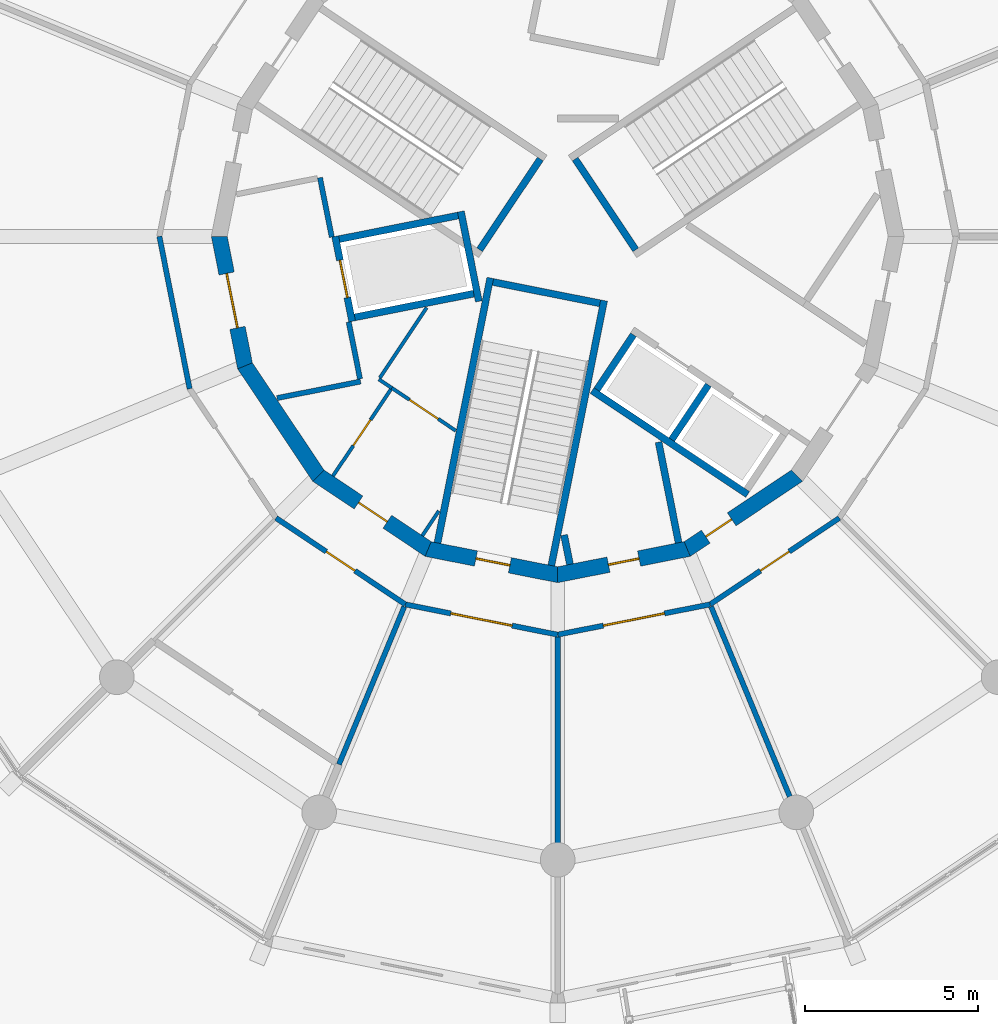
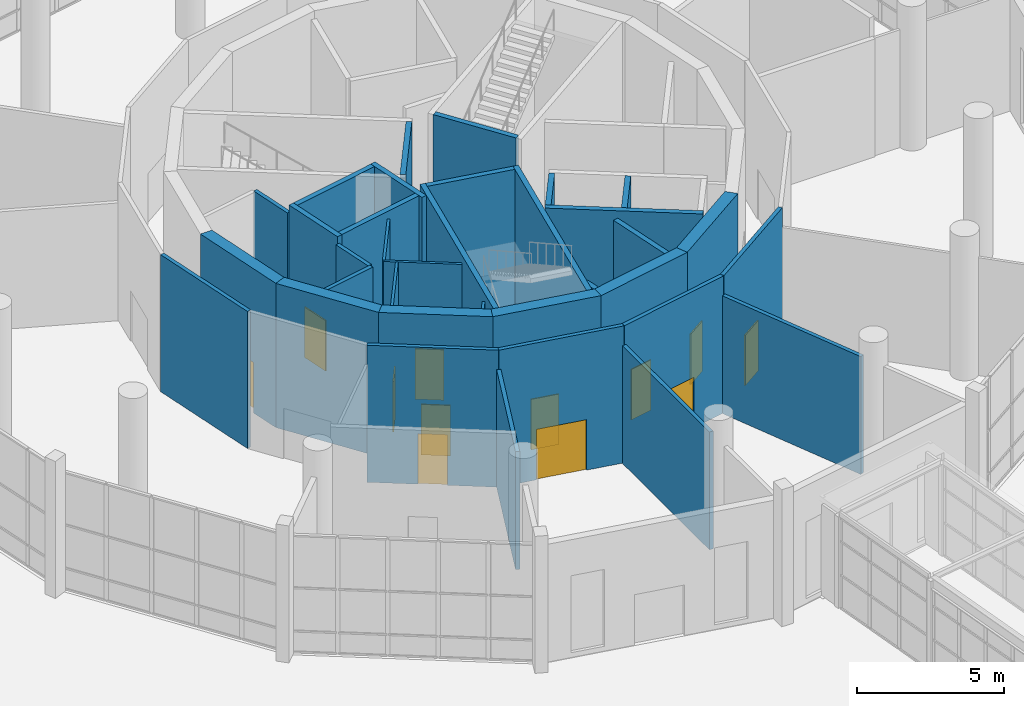
# One storey, part 163 of 226: 36 walls, 12 doors, 12 openings.
"""IFC4 building model written with IfcOpenShell, lengths in metres."""

import ifcopenshell
import ifcopenshell.guid

model = None  # the IFC model being written
_history = None  # IfcOwnerHistory: only IFC2X3 demands one
_inside = {}  # id of a spatial element -> (the spatial element, [elements in it])
_under = {}  # id of a project, library or spatial element -> (it, [spatial elements below it])
_declared = {}  # id of a project -> (the project, [libraries it declares])
_typed = {}  # id of a type object -> (the type object, [elements of that type])
_made_of = {}  # id of a material, layer set ... -> (it, [elements and type objects made of it])


def new_model(schema):
    """Start an empty IFC model of exactly this schema.

    Asked for "IFC4X3", IfcOpenShell would pick the latest addendum, in which some entities
    have other attributes; the version numbers below select the first issue.
    IFC2X3 requires an IfcOwnerHistory on every rooted entity: one is made here for all.
    """
    global model, _history
    if schema == "IFC4X3":
        model = ifcopenshell.file(schema_version=(4, 3, 0, 0))
    else:
        model = ifcopenshell.file(schema=schema)
    _inside.clear()
    _under.clear()
    _declared.clear()
    _typed.clear()
    _made_of.clear()
    _history = None
    if model.schema == "IFC2X3":
        org = make("IfcOrganization", Name="unknown")
        user = make(
            "IfcPersonAndOrganization",
            ThePerson=make("IfcPerson", FamilyName="unknown"),
            TheOrganization=org,
        )
        app = make(
            "IfcApplication",
            ApplicationDeveloper=org,
            Version="unknown",
            ApplicationFullName="unknown",
            ApplicationIdentifier="unknown",
        )
        _history = make(
            "IfcOwnerHistory",
            OwningUser=user,
            OwningApplication=app,
            ChangeAction="ADDED",
            CreationDate=0,
        )
    return model


def make(cls, **values):
    """One entity of the class cls with the attributes given. An attribute that is None is left unset."""
    return model.create_entity(
        cls, **{name: value for name, value in values.items() if value is not None}
    )


def rooted(cls, **values):
    """An entity with a GlobalId (a new one), such as an element, a storey or a relation."""
    return make(cls, GlobalId=ifcopenshell.guid.new(), OwnerHistory=_history, **values)


def si_unit(unit_type, name, prefix=None):
    """IfcSIUnit, for example si_unit("LENGTHUNIT", "METRE", prefix="MILLI")."""
    return make("IfcSIUnit", UnitType=unit_type, Prefix=prefix, Name=name)


def assignment(units):
    """IfcUnitAssignment: the units of a project."""
    return None if units is None else make("IfcUnitAssignment", Units=units)


def point(xyz):
    """IfcCartesianPoint."""
    return None if xyz is None else make("IfcCartesianPoint", Coordinates=xyz)


def direction(xyz):
    """IfcDirection."""
    return None if xyz is None else make("IfcDirection", DirectionRatios=xyz)


def frame(location, z_axis=None, x_axis=None):
    """IfcAxis2Placement3D, a coordinate frame: its origin and axes. An axis left out is left unset."""
    return make(
        "IfcAxis2Placement3D",
        Location=point(location),
        Axis=direction(z_axis),
        RefDirection=direction(x_axis),
    )


def frame_2d(location, x_axis=None):
    """IfcAxis2Placement2D, a coordinate frame in the plane: its origin and x axis."""
    return make(
        "IfcAxis2Placement2D", Location=point(location), RefDirection=direction(x_axis)
    )


def origin():
    """The frame at (0, 0, 0) with its axes left unset."""
    return frame((0.0, 0.0, 0.0))


def place(relative_to, where):
    """IfcLocalPlacement: puts the frame where relative to a parent placement (None: the world)."""
    return make(
        "IfcLocalPlacement", PlacementRelTo=relative_to, RelativePlacement=where
    )


def context(
    kind, dimensions, precision=None, world=None, true_north=None, identifier=None
):
    """IfcGeometricRepresentationContext, for example the 3D "Model" context."""
    return make(
        "IfcGeometricRepresentationContext",
        ContextIdentifier=identifier,
        ContextType=kind,
        CoordinateSpaceDimension=dimensions,
        Precision=precision,
        WorldCoordinateSystem=world,
        TrueNorth=true_north,
    )


def subcontext(parent, identifier, kind, view, scale=None):
    """IfcGeometricRepresentationSubContext, for example "Body" below "Model"."""
    return make(
        "IfcGeometricRepresentationSubContext",
        ContextIdentifier=identifier,
        ContextType=kind,
        ParentContext=parent,
        TargetScale=scale,
        TargetView=view,
    )


def project(units=None, contexts=None):
    """IfcProject with its units and contexts."""
    return rooted(
        "IfcProject",
        Name="project",
        RepresentationContexts=contexts,
        UnitsInContext=assignment(units),
    )


def spatial(cls, under=None, at=None, **own):
    """A site, building, storey or space (cls), placed at a placement, below another one or the project."""
    s = rooted(cls, ObjectPlacement=at, **own)
    if under is not None:
        _under.setdefault(under.id(), (under, []))[1].append(s)
    return s


def polyline(points):
    """IfcPolyline through the points."""
    return make("IfcPolyline", Points=[point(p) for p in points])


def profile(cls, at=None, kind="AREA", **sizes):
    """A parametric profile (cls). Its sizes go by their IFC names, for example OverallWidth=200.0."""
    return make(cls, ProfileType=kind, Position=at, **sizes)


def rectangle(**sizes):
    """IfcRectangleProfileDef."""
    return profile("IfcRectangleProfileDef", **sizes)


def outline(outer, holes=None, kind="AREA"):
    """IfcArbitraryClosedProfileDef: a profile drawn as a closed curve; with holes, ...WithVoids."""
    if holes is None:
        return make("IfcArbitraryClosedProfileDef", ProfileType=kind, OuterCurve=outer)
    return make(
        "IfcArbitraryProfileDefWithVoids",
        ProfileType=kind,
        OuterCurve=outer,
        InnerCurves=holes,
    )


def extrude(swept, where, along, depth):
    """IfcExtrudedAreaSolid: the profile swept, set in the frame where, extruded along a direction by depth."""
    return make(
        "IfcExtrudedAreaSolid",
        SweptArea=swept,
        Position=where,
        ExtrudedDirection=direction(along),
        Depth=depth,
    )


def shape(context_of_items, identifier, shape_type, items):
    """IfcShapeRepresentation: the items that make up one representation, for example the "Body"."""
    return make(
        "IfcShapeRepresentation",
        ContextOfItems=context_of_items,
        RepresentationIdentifier=identifier,
        RepresentationType=shape_type,
        Items=items,
    )


def material(Name=None, Category=None):
    """IfcMaterial."""
    return make("IfcMaterial", Name=Name, Category=Category)


def layer(
    of_material, thickness, ventilated=None, Name=None, Category=None, Priority=None
):
    """IfcMaterialLayer: one layer of a wall or slab, of a material (None: an air gap)."""
    return make(
        "IfcMaterialLayer",
        Material=of_material,
        LayerThickness=thickness,
        IsVentilated=ventilated,
        Name=Name,
        Category=Category,
        Priority=Priority,
    )


def layer_set(layers, Name=None):
    """IfcMaterialLayerSet."""
    return make("IfcMaterialLayerSet", MaterialLayers=layers, LayerSetName=Name)


def made_of(thing, what):
    """Note that an element or type object is made of a material, layer set ...; save() writes the relation."""
    if what is not None:
        _made_of.setdefault(what.id(), (what, []))[1].append(thing)
    return thing


def type_object(cls, material=None, **own):
    """A type object (cls), such as IfcWallType, which elements share."""
    return made_of(rooted(cls, **own), material)


def element(
    cls,
    number,
    at=None,
    inside=None,
    cuts=None,
    type_object=None,
    material=None,
    context=None,
    identifier="Body",
    shape_type=None,
    held_by="IfcProductDefinitionShape",
    body=None,
    shapes=None,
    **own,
):
    """One element of the class cls, such as IfcWall. Its Tag is "e" and its number.

    at: its placement. inside: the storey or other place that contains it. cuts: it is an
    opening in that element (IfcRelVoidsElement). A single representation is given by context,
    identifier, shape_type and body (its items); several are given by shapes. held_by: the class
    of the entity that holds the representations. save() writes the other relations.
    """
    e = rooted(cls, Tag="e%d" % number, ObjectPlacement=at, **own)
    if body is not None:
        shapes = [shape(context, identifier, shape_type, body)]
    if shapes is not None:
        e.Representation = make(held_by, Representations=shapes)
    if inside is not None:
        _inside.setdefault(inside.id(), (inside, []))[1].append(e)
    if cuts is not None:
        rooted(
            "IfcRelVoidsElement", RelatingBuildingElement=cuts, RelatedOpeningElement=e
        )
    if type_object is not None:
        _typed.setdefault(type_object.id(), (type_object, []))[1].append(e)
    return made_of(e, material)


def fill(opening, filler):
    """IfcRelFillsElement: the door or window that sits in an opening."""
    return rooted(
        "IfcRelFillsElement",
        RelatingOpeningElement=opening,
        RelatedBuildingElement=filler,
    )


def aggregate(whole, parts):
    """IfcRelAggregates: a whole, such as a stair, and the parts it consists of."""
    return rooted("IfcRelAggregates", RelatingObject=whole, RelatedObjects=parts)


def save(model, path):
    """Write the relations noted so far, then the file.

    IfcRelAggregates (storeys below a building ...), IfcRelContainedInSpatialStructure (elements
    in a storey), IfcRelDefinesByType, IfcRelAssociatesMaterial and IfcRelDeclares: one each for
    every whole, place, type object, material and project.
    """
    for whole, parts in _under.values():
        aggregate(whole, parts)
    for where, things in _inside.values():
        rooted(
            "IfcRelContainedInSpatialStructure",
            RelatedElements=things,
            RelatingStructure=where,
        )
    for kind, things in _typed.values():
        rooted("IfcRelDefinesByType", RelatedObjects=things, RelatingType=kind)
    for what, things in _made_of.values():
        rooted("IfcRelAssociatesMaterial", RelatedObjects=things, RelatingMaterial=what)
    for by, libraries in _declared.values():
        rooted("IfcRelDeclares", RelatingContext=by, RelatedDefinitions=libraries)
    model.write(path)


model = new_model("IFC4")

# Units and contexts
model_context = context("Model", 3, precision=1e-05, world=origin(), true_north=direction((0.0, 1.0)))
body_context = subcontext(model_context, "Body", "Model", "MODEL_VIEW")
ifc_project = project(units=[si_unit("LENGTHUNIT", "METRE"), si_unit("AREAUNIT", "SQUARE_METRE"), si_unit("VOLUMEUNIT", "CUBIC_METRE"), si_unit("PLANEANGLEUNIT", "RADIAN"), si_unit("MASSUNIT", "GRAM", prefix="KILO")], contexts=[model_context])

# Site, building, storey
site_placement = place(None, origin())
site = spatial("IfcSite", under=ifc_project, at=site_placement, CompositionType="ELEMENT")
building_placement = place(site_placement, origin())
building = spatial("IfcBuilding", under=site, at=building_placement, Name="Ceibo Conservatory and Research Tower", CompositionType="ELEMENT")
storey_placement = place(building_placement, origin())
storey = spatial("IfcBuildingStorey", under=building, at=storey_placement, Name="L00", CompositionType="ELEMENT", Elevation=0.0)

# Wall, opening, door
ifc_material_1 = material(Name="Plasterboard on metal studs")
ifc_layer_1 = layer(ifc_material_1, 0.10009765625)
ifc_layer_set_1 = layer_set([ifc_layer_1], Name="Plasterboard on metal studs")
wall_type_1 = type_object("IfcWallType", Name="Core partition 100", PredefinedType="PARTITIONING", material=ifc_layer_set_1)
wall_1_placement = place(storey_placement, frame((43.211181640625, 115.622802734375, 0.0), z_axis=(0.0, 0.0, 1.0), x_axis=(0.831474167959, -0.555563414938, 0.0)))
wall_1 = element("IfcWall", 1, at=wall_1_placement, inside=storey, type_object=wall_type_1, Name="Core partition 00.P012", PredefinedType="PARTITIONING", context=body_context, shape_type="SweptSolid", body=[
    extrude(rectangle(XDim=2.21826171875, YDim=0.10009765625, at=frame_2d((1.109130859375, 0.0))), origin(), (0.0, 0.0, 1.0), 5.699951171875),
])
opening_1_placement = place(wall_1_placement, frame((0.609130859375, 0.0, 0.0)))
opening_1 = element("IfcOpeningElement", 2, at=opening_1_placement, cuts=wall_1, Name="Opening C00-14", PredefinedType="OPENING", context=body_context, shape_type="SweptSolid", body=[
    extrude(rectangle(XDim=1.0, YDim=2.10009765625, at=frame_2d((0.5, 1.050048828125))), frame((0.0, 0.06005859375, 0.0), z_axis=(0.0, -1.0, 0.0), x_axis=(1.0, 0.0, 0.0)), (0.0, 0.0, 1.0), 0.1201171875),
])
ifc_material_2 = material(Name="Solid timber", Category="wood")
door_type_1 = type_object("IfcDoorType", Name="Door 1000x2100 (right hand)", OperationType="SINGLE_SWING_RIGHT", PredefinedType="DOOR", material=ifc_material_2)
door_1_placement = place(opening_1_placement, origin())
door_1 = element("IfcDoor", 3, at=door_1_placement, inside=storey, type_object=door_type_1, Name="Door Accessible WC 00.01", OperationType="SINGLE_SWING_RIGHT", OverallHeight=2.10009765625, OverallWidth=1.0, PredefinedType="DOOR", context=body_context, shape_type="SweptSolid", body=[
    extrude(rectangle(XDim=1.0, YDim=2.10009765625, at=frame_2d((0.5, 1.050048828125))), frame((0.0, 0.02490234375, 0.0), z_axis=(0.0, -1.0, 0.0), x_axis=(1.0, 0.0, 0.0)), (0.0, 0.0, 1.0), 0.050048828125),
])
fill(opening_1, door_1)

# Wall
wall_2_placement = place(storey_placement, frame((44.569091796875, 112.0751953125, 0.0), z_axis=(0.0, 0.0, 1.0), x_axis=(-0.555679692681, -0.831396463272, 0.0)))
element("IfcWall", 4, at=wall_2_placement, inside=storey, type_object=wall_type_1, Name="Core partition 00.P013", PredefinedType="PARTITIONING", context=body_context, shape_type="SweptSolid", body=[
    extrude(rectangle(XDim=0.862548828125, YDim=0.10009765625, at=frame_2d((0.43115234375, 0.0))), origin(), (0.0, 0.0, 1.0), 5.699951171875),
])

# Wall, opening, door
wall_3_placement = place(storey_placement, frame((41.51220703125, 113.080322265625, 0.0), z_axis=(0.0, 0.0, 1.0), x_axis=(0.555580223014, 0.831462937115, 0.0)))
wall_3 = element("IfcWall", 5, at=wall_3_placement, inside=storey, type_object=wall_type_1, Name="Core partition 00.P014", PredefinedType="PARTITIONING", context=body_context, shape_type="SweptSolid", body=[
    extrude(rectangle(XDim=3.0078125, YDim=0.10009765625, at=frame_2d((1.50390625, 0.0))), origin(), (0.0, 0.0, 1.0), 5.699951171875),
])
opening_2_placement = place(wall_3_placement, frame((1.053955078125, 0.0, 0.0)))
opening_2 = element("IfcOpeningElement", 6, at=opening_2_placement, cuts=wall_3, Name="Opening C00-15", PredefinedType="OPENING", context=body_context, shape_type="SweptSolid", body=[
    extrude(rectangle(XDim=0.89990234375, YDim=2.10009765625, at=frame_2d((0.449951171875, 1.050048828125))), frame((0.0, 0.06005859375, 0.0), z_axis=(0.0, -1.0, 0.0), x_axis=(1.0, 0.0, 0.0)), (0.0, 0.0, 1.0), 0.1201171875),
])
door_type_2 = type_object("IfcDoorType", Name="Door 900x2100 (right hand)", OperationType="SINGLE_SWING_RIGHT", PredefinedType="DOOR", material=ifc_material_2)
door_2_placement = place(opening_2_placement, origin())
door_2 = element("IfcDoor", 7, at=door_2_placement, inside=storey, type_object=door_type_2, Name="Door Men WC 00.01", OperationType="SINGLE_SWING_RIGHT", OverallHeight=2.10009765625, OverallWidth=0.89990234375, PredefinedType="DOOR", context=body_context, shape_type="SweptSolid", body=[
    extrude(rectangle(XDim=0.89990234375, YDim=2.10009765625, at=frame_2d((0.449951171875, 1.050048828125))), frame((0.0, 0.02490234375, 0.0), z_axis=(0.0, -1.0, 0.0), x_axis=(1.0, 0.0, 0.0)), (0.0, 0.0, 1.0), 0.050048828125),
])
fill(opening_2, door_2)

# Walls
wall_4_placement = place(storey_placement, frame((43.211181640625, 115.622802734375, 0.0), z_axis=(0.0, 0.0, 1.0), x_axis=(-0.831549248302, 0.555451030829, 0.0)))
element("IfcWall", 8, at=wall_4_placement, inside=storey, type_object=wall_type_1, Name="Core partition 00.P015", PredefinedType="PARTITIONING", context=body_context, shape_type="SweptSolid", body=[
    extrude(rectangle(XDim=0.4501953125, YDim=0.10009765625, at=frame_2d((0.22509765625, 0.0))), origin(), (0.0, 0.0, 1.0), 5.699951171875),
])
wall_5_placement = place(storey_placement, frame((42.86474609375, 115.91455078125, 0.0), z_axis=(0.0, 0.0, 1.0), x_axis=(0.555578357102, 0.831464183907, 0.0)))
element("IfcWall", 9, at=wall_5_placement, inside=storey, type_object=wall_type_1, Name="Core partition 00.P016", PredefinedType="PARTITIONING", context=body_context, shape_type="SweptSolid", body=[
    extrude(rectangle(XDim=2.43701171875, YDim=0.10009765625, at=frame_2d((1.218505859375, 0.0))), origin(), (0.0, 0.0, 1.0), 5.699951171875),
])

# Wall, opening, door
ifc_material_3 = material(Name="Concrete C40/50", Category="concrete")
ifc_layer_2 = layer(ifc_material_3, 0.449951171875)
ifc_layer_set_2 = layer_set([ifc_layer_2], Name="Concrete C40/50")
wall_type_2 = type_object("IfcWallType", Name="Core wall 450 C40", PredefinedType="SHEAR", material=ifc_layer_set_2)
wall_6_placement = place(storey_placement, frame((38.2294921875, 120.0, 0.0), z_axis=(0.0, 0.0, 1.0), x_axis=(0.195069197673, -0.98078948206, 0.0)))
wall_6 = element("IfcWall", 10, at=wall_6_placement, inside=storey, type_object=wall_type_2, Name="Core wall L00 09", PredefinedType="SHEAR", context=body_context, shape_type="SweptSolid", body=[
    extrude(outline(polyline([(-0.044677734375, -0.22509765625), (3.85693359375, -0.22509765625), (3.767578125, 0.22509765625), (0.044677734375, 0.22509765625), (-0.044677734375, -0.22509765625)])), origin(), (0.0, 0.0, 1.0), 6.0),
])
opening_3_placement = place(wall_6_placement, frame((1.0947265625, 0.0, 0.0)))
opening_3 = element("IfcOpeningElement", 11, at=opening_3_placement, cuts=wall_6, Name="Opening C00-06", PredefinedType="OPENING", context=body_context, shape_type="SweptSolid", body=[
    extrude(rectangle(XDim=1.60009765625, YDim=2.10009765625, at=frame_2d((0.800048828125, 1.050048828125))), frame((0.0, 0.23486328125, 0.0), z_axis=(0.0, -1.0, 0.0), x_axis=(1.0, 0.0, 0.0)), (0.0, 0.0, 1.0), 0.469970703125),
])
ifc_material_4 = material(Name="Galvanised sheet steel DX51D", Category="steel")
door_type_3 = type_object("IfcDoorType", Name="Lobby double door 1600x2100 EI 60", OperationType="DOUBLE_DOOR_SINGLE_SWING", PredefinedType="DOOR", material=ifc_material_4)
door_3_placement = place(opening_3_placement, frame((1.60009765625, 0.0, 0.0), z_axis=(0.0, 0.0, 1.0), x_axis=(-1.0, 0.0, 0.0)))
door_3 = element("IfcDoor", 12, at=door_3_placement, inside=storey, type_object=door_type_3, Name="Goods Lift Lobby door 00", OperationType="DOUBLE_DOOR_SINGLE_SWING", OverallHeight=2.10009765625, OverallWidth=1.60009765625, PredefinedType="DOOR", context=body_context, shape_type="SweptSolid", body=[
    extrude(rectangle(XDim=1.60009765625, YDim=2.10009765625, at=frame_2d((0.800048828125, 1.050048828125))), frame((0.0, 0.02490234375, 0.0), z_axis=(0.0, -1.0, 0.0), x_axis=(1.0, 0.0, 0.0)), (0.0, 0.0, 1.0), 0.050048828125),
])
fill(opening_3, door_3)

# Wall
wall_7_placement = place(storey_placement, frame((38.97314453125, 116.260986328125, 0.0), z_axis=(0.0, 0.0, 1.0), x_axis=(0.555542277102, -0.83148829117, 0.0)))
element("IfcWall", 13, at=wall_7_placement, inside=storey, type_object=wall_type_2, Name="Core wall L00 10", PredefinedType="SHEAR", context=body_context, shape_type="SweptSolid", body=[
    extrude(outline(polyline([(-0.044677734375, -0.22509765625), (3.85693359375, -0.22509765625), (3.767578125, 0.22509765625), (0.044677734375, 0.22509765625), (-0.044677734375, -0.22509765625)])), origin(), (0.0, 0.0, 1.0), 6.0),
])

# Wall, opening, door
wall_8_placement = place(storey_placement, frame((41.091064453125, 113.091064453125, 0.0), z_axis=(0.0, 0.0, 1.0), x_axis=(0.83148829117, -0.555542277102, 0.0)))
wall_8 = element("IfcWall", 14, at=wall_8_placement, inside=storey, type_object=wall_type_2, Name="Core wall L00 11", PredefinedType="SHEAR", context=body_context, shape_type="SweptSolid", body=[
    extrude(outline(polyline([(-0.044677734375, -0.22509765625), (3.85693359375, -0.22509765625), (3.767578125, 0.22509765625), (0.044677734375, 0.22509765625), (-0.044677734375, -0.22509765625)])), origin(), (0.0, 0.0, 1.0), 6.0),
])
opening_4_placement = place(wall_8_placement, frame((1.394775390625, 0.0, 0.0)))
opening_4 = element("IfcOpeningElement", 15, at=opening_4_placement, cuts=wall_8, Name="Opening C00-10", PredefinedType="OPENING", context=body_context, shape_type="SweptSolid", body=[
    extrude(rectangle(XDim=1.0, YDim=2.10009765625, at=frame_2d((0.5, 1.050048828125))), frame((0.0, 0.23486328125, 0.0), z_axis=(0.0, -1.0, 0.0), x_axis=(1.0, 0.0, 0.0)), (0.0, 0.0, 1.0), 0.469970703125),
])
door_type_4 = type_object("IfcDoorType", Name="Lobby door 1000x2100 EI 60 (right hand)", OperationType="SINGLE_SWING_RIGHT", PredefinedType="DOOR", material=ifc_material_4)
door_4_placement = place(opening_4_placement, frame((1.0, 0.0, 0.0), z_axis=(0.0, 0.0, 1.0), x_axis=(-1.0, 0.0, 0.0)))
door_4 = element("IfcDoor", 16, at=door_4_placement, inside=storey, type_object=door_type_4, Name="WC Lobby door 00", OperationType="SINGLE_SWING_RIGHT", OverallHeight=2.10009765625, OverallWidth=1.0, PredefinedType="DOOR", context=body_context, shape_type="SweptSolid", body=[
    extrude(rectangle(XDim=1.0, YDim=2.10009765625, at=frame_2d((0.5, 1.050048828125))), frame((0.0, 0.02490234375, 0.0), z_axis=(0.0, -1.0, 0.0), x_axis=(1.0, 0.0, 0.0)), (0.0, 0.0, 1.0), 0.050048828125),
])
fill(opening_4, door_4)

wall_9_placement = place(storey_placement, frame((44.260986328125, 110.97314453125, 0.0), z_axis=(0.0, 0.0, 1.0), x_axis=(0.98078948206, -0.195069197673, 0.0)))
wall_9 = element("IfcWall", 17, at=wall_9_placement, inside=storey, type_object=wall_type_2, Name="Core wall L00 12", PredefinedType="SHEAR", context=body_context, shape_type="SweptSolid", body=[
    extrude(outline(polyline([(-0.044677734375, -0.22509765625), (3.85693359375, -0.22509765625), (3.767578125, 0.22509765625), (0.044677734375, 0.22509765625), (-0.044677734375, -0.22509765625)])), origin(), (0.0, 0.0, 1.0), 6.0),
])
opening_5_placement = place(wall_9_placement, frame((1.40625, 0.0, 0.0)))
opening_5 = element("IfcOpeningElement", 18, at=opening_5_placement, cuts=wall_9, Name="Opening C00-03", PredefinedType="OPENING", context=body_context, shape_type="SweptSolid", body=[
    extrude(rectangle(XDim=1.0, YDim=2.10009765625, at=frame_2d((0.5, 1.050048828125))), frame((0.0, 0.23486328125, 0.0), z_axis=(0.0, -1.0, 0.0), x_axis=(1.0, 0.0, 0.0)), (0.0, 0.0, 1.0), 0.469970703125),
])
door_type_5 = type_object("IfcDoorType", Name="Stair door 1000x2100 EI 120 (right hand)", OperationType="SINGLE_SWING_RIGHT", PredefinedType="DOOR", material=ifc_material_4)
door_5_placement = place(opening_5_placement, origin())
door_5 = element("IfcDoor", 19, at=door_5_placement, inside=storey, type_object=door_type_5, Name="Stair door ST3 00", OperationType="SINGLE_SWING_RIGHT", OverallHeight=2.10009765625, OverallWidth=1.0, PredefinedType="DOOR", context=body_context, shape_type="SweptSolid", body=[
    extrude(rectangle(XDim=1.0, YDim=2.10009765625, at=frame_2d((0.5, 1.050048828125))), frame((0.0, 0.02490234375, 0.0), z_axis=(0.0, -1.0, 0.0), x_axis=(1.0, 0.0, 0.0)), (0.0, 0.0, 1.0), 0.050048828125),
])
fill(opening_5, door_5)

wall_10_placement = place(storey_placement, frame((48.0, 110.2294921875, 0.0), z_axis=(0.0, 0.0, 1.0), x_axis=(0.98078948206, 0.195069197673, 0.0)))
wall_10 = element("IfcWall", 20, at=wall_10_placement, inside=storey, type_object=wall_type_2, Name="Core wall L00 13", PredefinedType="SHEAR", context=body_context, shape_type="SweptSolid", body=[
    extrude(outline(polyline([(-0.044677734375, -0.22509765625), (3.85693359375, -0.22509765625), (3.767578125, 0.22509765625), (0.044677734375, 0.22509765625), (-0.044677734375, -0.22509765625)])), origin(), (0.0, 0.0, 1.0), 6.0),
])
opening_6_placement = place(wall_10_placement, frame((1.49462890625, 0.0, 0.0)))
opening_6 = element("IfcOpeningElement", 21, at=opening_6_placement, cuts=wall_10, Name="Opening C00-11", PredefinedType="OPENING", context=body_context, shape_type="SweptSolid", body=[
    extrude(rectangle(XDim=0.89990234375, YDim=2.10009765625, at=frame_2d((0.449951171875, 1.050048828125))), frame((0.0, 0.23486328125, 0.0), z_axis=(0.0, -1.0, 0.0), x_axis=(1.0, 0.0, 0.0)), (0.0, 0.0, 1.0), 0.469970703125),
])
door_type_6 = type_object("IfcDoorType", Name="Riser door 900x2100 EI 60 (left hand)", OperationType="SINGLE_SWING_LEFT", PredefinedType="DOOR", material=ifc_material_4)
door_6_placement = place(opening_6_placement, frame((0.89990234375, 0.0, 0.0), z_axis=(0.0, 0.0, 1.0), x_axis=(-1.0, 0.0, 0.0)))
door_6 = element("IfcDoor", 22, at=door_6_placement, inside=storey, type_object=door_type_6, Name="Fire Riser door 00", OperationType="SINGLE_SWING_LEFT", OverallHeight=2.10009765625, OverallWidth=0.89990234375, PredefinedType="DOOR", context=body_context, shape_type="SweptSolid", body=[
    extrude(rectangle(XDim=0.89990234375, YDim=2.10009765625, at=frame_2d((0.449951171875, 1.050048828125))), frame((0.0, 0.02490234375, 0.0), z_axis=(0.0, -1.0, 0.0), x_axis=(1.0, 0.0, 0.0)), (0.0, 0.0, 1.0), 0.050048828125),
])
fill(opening_6, door_6)

wall_11_placement = place(storey_placement, frame((51.739013671875, 110.97314453125, 0.0), z_axis=(0.0, 0.0, 1.0), x_axis=(0.83148829117, 0.555542277102, 0.0)))
wall_11 = element("IfcWall", 23, at=wall_11_placement, inside=storey, type_object=wall_type_2, Name="Core wall L00 14", PredefinedType="SHEAR", context=body_context, shape_type="SweptSolid", body=[
    extrude(outline(polyline([(-0.044677734375, -0.22509765625), (3.85693359375, -0.22509765625), (3.767578125, 0.22509765625), (0.044677734375, 0.22509765625), (-0.044677734375, -0.22509765625)])), origin(), (0.0, 0.0, 1.0), 6.0),
])
opening_7_placement = place(wall_11_placement, frame((0.644775390625, 0.0, 0.0)))
opening_7 = element("IfcOpeningElement", 24, at=opening_7_placement, cuts=wall_11, Name="Opening C00-12", PredefinedType="OPENING", context=body_context, shape_type="SweptSolid", body=[
    extrude(rectangle(XDim=0.89990234375, YDim=2.10009765625, at=frame_2d((0.449951171875, 1.050048828125))), frame((0.0, 0.23486328125, 0.0), z_axis=(0.0, -1.0, 0.0), x_axis=(1.0, 0.0, 0.0)), (0.0, 0.0, 1.0), 0.469970703125),
])
door_type_7 = type_object("IfcDoorType", Name="Riser door 900x2100 EI 60 (right hand)", OperationType="SINGLE_SWING_RIGHT", PredefinedType="DOOR", material=ifc_material_4)
door_7_placement = place(opening_7_placement, origin())
door_7 = element("IfcDoor", 25, at=door_7_placement, inside=storey, type_object=door_type_7, Name="Store door 00", OperationType="SINGLE_SWING_RIGHT", OverallHeight=2.10009765625, OverallWidth=0.89990234375, PredefinedType="DOOR", context=body_context, shape_type="SweptSolid", body=[
    extrude(rectangle(XDim=0.89990234375, YDim=2.10009765625, at=frame_2d((0.449951171875, 1.050048828125))), frame((0.0, 0.02490234375, 0.0), z_axis=(0.0, -1.0, 0.0), x_axis=(1.0, 0.0, 0.0)), (0.0, 0.0, 1.0), 0.050048828125),
])
fill(opening_7, door_7)

# Walls
ifc_material_5 = material(Name="Plasterboard on metal studs, fire board")
ifc_layer_3 = layer(ifc_material_5, 0.14990234375)
ifc_layer_set_3 = layer_set([ifc_layer_3], Name="Plasterboard on metal studs, fire board")
wall_type_3 = type_object("IfcWallType", Name="Corridor wall 150 EI 60", PredefinedType="PARTITIONING", material=ifc_layer_set_3)
wall_12_placement = place(storey_placement, frame((39.899169921875, 115.329833984375, 0.0), z_axis=(0.0, 0.0, 1.0), x_axis=(0.980782755583, 0.195103014715, 0.0)))
element("IfcWall", 26, at=wall_12_placement, inside=storey, type_object=wall_type_3, Name="Core partition 00.P004", PredefinedType="PARTITIONING", context=body_context, shape_type="SweptSolid", body=[
    extrude(rectangle(XDim=2.456298828125, YDim=0.14990234375, at=frame_2d((1.22802734375, 0.0))), origin(), (0.0, 0.0, 1.0), 5.699951171875),
])
wall_13_placement = place(storey_placement, frame((42.293701171875, 115.882568359375, 0.0), z_axis=(0.0, 0.0, 1.0), x_axis=(-0.195163043227, 0.980770812452, 0.0)))
element("IfcWall", 27, at=wall_13_placement, inside=storey, type_object=wall_type_3, Name="Core partition 00.P005", PredefinedType="PARTITIONING", context=body_context, shape_type="SweptSolid", body=[
    extrude(rectangle(XDim=1.675048828125, YDim=0.14990234375, at=frame_2d((0.83740234375, 0.0))), origin(), (0.0, 0.0, 1.0), 5.699951171875),
])
wall_14_placement = place(storey_placement, frame((41.47900390625, 119.977294921875, 0.0), z_axis=(0.0, 0.0, 1.0), x_axis=(-0.19501613536, 0.98080003413, 0.0)))
element("IfcWall", 28, at=wall_14_placement, inside=storey, type_object=wall_type_3, Name="Core partition 00.P006", PredefinedType="PARTITIONING", context=body_context, shape_type="SweptSolid", body=[
    extrude(rectangle(XDim=1.750244140625, YDim=0.14990234375, at=frame_2d((0.875, 0.0))), origin(), (0.0, 0.0, 1.0), 5.699951171875),
])
wall_15_placement = place(storey_placement, frame((37.37548828125, 115.59912109375, 0.0), z_axis=(0.0, 0.0, 1.0), x_axis=(-0.195111553866, 0.980781056887, 0.0)))
element("IfcWall", 29, at=wall_15_placement, inside=storey, type_object=wall_type_3, Name="Partition 00.010", PredefinedType="PARTITIONING", context=body_context, shape_type="SweptSolid", body=[
    extrude(rectangle(XDim=4.487060546875, YDim=0.14990234375, at=frame_2d((2.24365234375, 0.0))), origin(), (0.0, 0.0, 1.0), 5.699951171875),
])

# Wall, opening, door
wall_16_placement = place(storey_placement, frame((43.59912109375, 109.37548828125, 0.0), z_axis=(0.0, 0.0, 1.0), x_axis=(-0.831455480489, 0.555591382192, 0.0)))
wall_16 = element("IfcWall", 30, at=wall_16_placement, inside=storey, type_object=wall_type_3, Name="Partition 00.011", PredefinedType="PARTITIONING", context=body_context, shape_type="SweptSolid", body=[
    extrude(rectangle(XDim=4.487060546875, YDim=0.14990234375, at=frame_2d((2.24365234375, 0.0))), origin(), (0.0, 0.0, 1.0), 5.699951171875),
])
opening_8_placement = place(wall_16_placement, frame((1.743408203125, 0.0, 0.0)))
opening_8 = element("IfcOpeningElement", 31, at=opening_8_placement, cuts=wall_16, Name="Opening T00-11", PredefinedType="OPENING", context=body_context, shape_type="SweptSolid", body=[
    extrude(rectangle(XDim=1.0, YDim=2.10009765625, at=frame_2d((0.5, 1.050048828125))), frame((0.0, 0.0849609375, 0.0), z_axis=(0.0, -1.0, 0.0), x_axis=(1.0, 0.0, 0.0)), (0.0, 0.0, 1.0), 0.169921875),
])
door_type_8 = type_object("IfcDoorType", Name="Door fire single wide 1000x2100 EI 60 (right hand)", OperationType="SINGLE_SWING_RIGHT", PredefinedType="DOOR", material=ifc_material_4)
door_8_placement = place(opening_8_placement, origin())
door_8 = element("IfcDoor", 32, at=door_8_placement, inside=storey, type_object=door_type_8, Name="Door T00-11", OperationType="SINGLE_SWING_RIGHT", OverallHeight=2.10009765625, OverallWidth=1.0, PredefinedType="DOOR", context=body_context, shape_type="SweptSolid", body=[
    extrude(rectangle(XDim=1.0, YDim=2.10009765625, at=frame_2d((0.5, 1.050048828125))), frame((0.0, 0.02490234375, 0.0), z_axis=(0.0, -1.0, 0.0), x_axis=(1.0, 0.0, 0.0)), (0.0, 0.0, 1.0), 0.050048828125),
])
fill(opening_8, door_8)

wall_17_placement = place(storey_placement, frame((48.0, 108.5, 0.0), z_axis=(0.0, 0.0, 1.0), x_axis=(-0.980781056887, 0.195111553866, 0.0)))
wall_17 = element("IfcWall", 33, at=wall_17_placement, inside=storey, type_object=wall_type_3, Name="Partition 00.012", PredefinedType="PARTITIONING", context=body_context, shape_type="SweptSolid", body=[
    extrude(rectangle(XDim=4.487060546875, YDim=0.14990234375, at=frame_2d((2.24365234375, 0.0))), origin(), (0.0, 0.0, 1.0), 5.699951171875),
])
opening_9_placement = place(wall_17_placement, frame((1.34375, 0.0, 0.0)))
opening_9 = element("IfcOpeningElement", 34, at=opening_9_placement, cuts=wall_17, Name="Opening T00-13", PredefinedType="OPENING", context=body_context, shape_type="SweptSolid", body=[
    extrude(rectangle(XDim=1.800048828125, YDim=2.10009765625, at=frame_2d((0.89990234375, 1.050048828125))), frame((0.0, 0.0849609375, 0.0), z_axis=(0.0, -1.0, 0.0), x_axis=(1.0, 0.0, 0.0)), (0.0, 0.0, 1.0), 0.169921875),
])
door_type_9 = type_object("IfcDoorType", Name="Door fire double 1800x2100 EI 60", OperationType="DOUBLE_DOOR_SINGLE_SWING", PredefinedType="DOOR", material=ifc_material_4)
door_9_placement = place(opening_9_placement, origin())
door_9 = element("IfcDoor", 35, at=door_9_placement, inside=storey, type_object=door_type_9, Name="Door T00-13", OperationType="DOUBLE_DOOR_SINGLE_SWING", OverallHeight=2.10009765625, OverallWidth=1.800048828125, PredefinedType="DOOR", context=body_context, shape_type="SweptSolid", body=[
    extrude(rectangle(XDim=1.800048828125, YDim=2.10009765625, at=frame_2d((0.89990234375, 1.050048828125))), frame((0.0, 0.02490234375, 0.0), z_axis=(0.0, -1.0, 0.0), x_axis=(1.0, 0.0, 0.0)), (0.0, 0.0, 1.0), 0.050048828125),
])
fill(opening_9, door_9)

wall_18_placement = place(storey_placement, frame((52.40087890625, 109.37548828125, 0.0), z_axis=(0.0, 0.0, 1.0), x_axis=(-0.980781056887, -0.195111553866, 0.0)))
wall_18 = element("IfcWall", 36, at=wall_18_placement, inside=storey, type_object=wall_type_3, Name="Partition 00.015", PredefinedType="PARTITIONING", context=body_context, shape_type="SweptSolid", body=[
    extrude(rectangle(XDim=4.487060546875, YDim=0.14990234375, at=frame_2d((2.24365234375, 0.0))), origin(), (0.0, 0.0, 1.0), 5.699951171875),
])
opening_10_placement = place(wall_18_placement, frame((1.34375, 0.0, 0.0)))
opening_10 = element("IfcOpeningElement", 37, at=opening_10_placement, cuts=wall_18, Name="Opening T00-14", PredefinedType="OPENING", context=body_context, shape_type="SweptSolid", body=[
    extrude(rectangle(XDim=1.800048828125, YDim=2.10009765625, at=frame_2d((0.89990234375, 1.050048828125))), frame((0.0, 0.0849609375, 0.0), z_axis=(0.0, -1.0, 0.0), x_axis=(1.0, 0.0, 0.0)), (0.0, 0.0, 1.0), 0.169921875),
])
door_10_placement = place(opening_10_placement, origin())
door_10 = element("IfcDoor", 38, at=door_10_placement, inside=storey, type_object=door_type_9, Name="Door T00-14", OperationType="DOUBLE_DOOR_SINGLE_SWING", OverallHeight=2.10009765625, OverallWidth=1.800048828125, PredefinedType="DOOR", context=body_context, shape_type="SweptSolid", body=[
    extrude(rectangle(XDim=1.800048828125, YDim=2.10009765625, at=frame_2d((0.89990234375, 1.050048828125))), frame((0.0, 0.02490234375, 0.0), z_axis=(0.0, -1.0, 0.0), x_axis=(1.0, 0.0, 0.0)), (0.0, 0.0, 1.0), 0.050048828125),
])
fill(opening_10, door_10)

wall_19_placement = place(storey_placement, frame((56.131591796875, 111.868408203125, 0.0), z_axis=(0.0, 0.0, 1.0), x_axis=(-0.831455480489, -0.555591382192, 0.0)))
wall_19 = element("IfcWall", 39, at=wall_19_placement, inside=storey, type_object=wall_type_3, Name="Partition 00.016", PredefinedType="PARTITIONING", context=body_context, shape_type="SweptSolid", body=[
    extrude(rectangle(XDim=4.487060546875, YDim=0.14990234375, at=frame_2d((2.24365234375, 0.0))), origin(), (0.0, 0.0, 1.0), 5.699951171875),
])
opening_11_placement = place(wall_19_placement, frame((1.743408203125, 0.0, 0.0)))
opening_11 = element("IfcOpeningElement", 40, at=opening_11_placement, cuts=wall_19, Name="Opening T00-15", PredefinedType="OPENING", context=body_context, shape_type="SweptSolid", body=[
    extrude(rectangle(XDim=1.0, YDim=2.10009765625, at=frame_2d((0.5, 1.050048828125))), frame((0.0, 0.0849609375, 0.0), z_axis=(0.0, -1.0, 0.0), x_axis=(1.0, 0.0, 0.0)), (0.0, 0.0, 1.0), 0.169921875),
])
door_11_placement = place(opening_11_placement, origin())
door_11 = element("IfcDoor", 41, at=door_11_placement, inside=storey, type_object=door_type_8, Name="Door T00-15", OperationType="SINGLE_SWING_RIGHT", OverallHeight=2.10009765625, OverallWidth=1.0, PredefinedType="DOOR", context=body_context, shape_type="SweptSolid", body=[
    extrude(rectangle(XDim=1.0, YDim=2.10009765625, at=frame_2d((0.5, 1.050048828125))), frame((0.0, 0.02490234375, 0.0), z_axis=(0.0, -1.0, 0.0), x_axis=(1.0, 0.0, 0.0)), (0.0, 0.0, 1.0), 0.050048828125),
])
fill(opening_11, door_11)

# Walls
wall_20_placement = place(storey_placement, frame((43.57177734375, 109.309326171875, 0.0), z_axis=(0.0, 0.0, 1.0), x_axis=(-0.382679925467, -0.923880985108, 0.0)))
element("IfcWall", 42, at=wall_20_placement, inside=storey, type_object=wall_type_3, Name="Partition 00.036", PredefinedType="PARTITIONING", context=body_context, shape_type="SweptSolid", body=[
    extrude(rectangle(XDim=4.928466796875, YDim=0.14990234375, at=frame_2d((2.46435546875, 0.0))), origin(), (0.0, 0.0, 1.0), 4.89990234375),
])
for number, where, z_axis, x_axis, name in (
    (43, (48.0, 108.428466796875, 0.0), (0.0, 0.0, 1.0), (0.0, -1.0, 0.0), "Partition 00.040"),
    (44, (52.42822265625, 109.309326171875, 0.0), (0.0, 0.0, 1.0), (0.382661627487, -0.923888564086, 0.0), "Partition 00.041"),
):
    element("IfcWall", number, at=place(storey_placement, frame(where, z_axis=z_axis, x_axis=x_axis)), inside=storey, type_object=wall_type_3, Name=name, PredefinedType="PARTITIONING", context=body_context, shape_type="SweptSolid", body=[
        extrude(rectangle(XDim=5.9384765625, YDim=0.14990234375, at=frame_2d((2.96923828125, 0.0))), origin(), (0.0, 0.0, 1.0), 4.89990234375),
    ])
ifc_material_6 = material(Name="Masonry blockwork", Category="masonry")
ifc_layer_4 = layer(ifc_material_6, 0.199951171875)
ifc_layer_set_4 = layer_set([ifc_layer_4], Name="Masonry blockwork")
wall_type_4 = type_object("IfcWallType", Name="Riser wall 200 EI 120", PredefinedType="SOLIDWALL", material=ifc_layer_set_4)
wall_21_placement = place(storey_placement, frame((50.912353515625, 114.059326171875, 0.0), z_axis=(0.0, 0.0, 1.0), x_axis=(0.195101986683, -0.980782960085, 0.0)))
element("IfcWall", 45, at=wall_21_placement, inside=storey, type_object=wall_type_4, Name="Core partition 00.P017", PredefinedType="SOLIDWALL", context=body_context, shape_type="SweptSolid", body=[
    extrude(rectangle(XDim=2.963134765625, YDim=0.199951171875, at=frame_2d((1.4814453125, 0.0))), origin(), (0.0, 0.0, 1.0), 5.699951171875),
])
wall_22_placement = place(storey_placement, frame((48.354248046875, 110.529296875, 0.0), z_axis=(0.0, 0.0, 1.0), x_axis=(-0.194865027791, 0.980830067312, 0.0)))
element("IfcWall", 46, at=wall_22_placement, inside=storey, type_object=wall_type_4, Name="Core partition 00.P018", PredefinedType="SOLIDWALL", context=body_context, shape_type="SweptSolid", body=[
    extrude(rectangle(XDim=0.86328125, YDim=0.199951171875, at=frame_2d((0.431640625, 0.0))), origin(), (0.0, 0.0, 1.0), 5.699951171875),
])
ifc_layer_5 = layer(ifc_material_3, 0.199951171875)
ifc_layer_set_5 = layer_set([ifc_layer_5], Name="Concrete C40/50")
wall_type_5 = type_object("IfcWallType", Name="Shaft wall 200 C40", PredefinedType="SHEAR", material=ifc_layer_set_5)
wall_23_placement = place(storey_placement, frame((48.993896484375, 115.547607421875, 0.0), z_axis=(0.0, 0.0, 1.0), x_axis=(0.831444656906, -0.555607579593, 0.0)))
element("IfcWall", 47, at=wall_23_placement, inside=storey, type_object=wall_type_5, Name="Shaft wall LRB.B L00", PredefinedType="SHEAR", context=body_context, shape_type="SweptSolid", body=[
    extrude(rectangle(XDim=5.39990234375, YDim=0.199951171875, at=frame_2d((2.699951171875, 0.0))), origin(), (0.0, 0.0, 1.0), 6.0),
])
wall_24_placement = place(storey_placement, frame((50.18798828125, 117.15478515625, 0.0), z_axis=(0.0, 0.0, 1.0), x_axis=(-0.555559945722, -0.831476485963, 0.0)))
element("IfcWall", 48, at=wall_24_placement, inside=storey, type_object=wall_type_5, Name="Shaft wall LRB.X0 L00", PredefinedType="SHEAR", context=body_context, shape_type="SweptSolid", body=[
    extrude(rectangle(XDim=1.899658203125, YDim=0.199951171875, at=frame_2d((0.94970703125, 0.0))), origin(), (0.0, 0.0, 1.0), 6.0),
])
wall_25_placement = place(storey_placement, frame((52.349853515625, 115.71044921875, 0.0), z_axis=(0.0, 0.0, 1.0), x_axis=(-0.55550058618, -0.831516144614, 0.0)))
element("IfcWall", 49, at=wall_25_placement, inside=storey, type_object=wall_type_5, Name="Shaft wall LRB.X1 L00", PredefinedType="SHEAR", context=body_context, shape_type="SweptSolid", body=[
    extrude(rectangle(XDim=1.89990234375, YDim=0.199951171875, at=frame_2d((0.949951171875, 0.0))), origin(), (0.0, 0.0, 1.0), 6.0),
])

# Wall, opening, door
wall_26_placement = place(storey_placement, frame((41.5771484375, 119.996826171875, 0.0), z_axis=(0.0, 0.0, 1.0), x_axis=(0.195120673769, -0.980779242576, 0.0)))
wall_26 = element("IfcWall", 50, at=wall_26_placement, inside=storey, type_object=wall_type_5, Name="Shaft wall LG1.F L00", PredefinedType="SHEAR", context=body_context, shape_type="SweptSolid", body=[
    extrude(rectangle(XDim=2.5, YDim=0.199951171875, at=frame_2d((1.25, 0.0))), origin(), (0.0, 0.0, 1.0), 6.0),
])
opening_12_placement = place(wall_26_placement, frame((0.699951171875, 0.0, 0.0)))
opening_12 = element("IfcOpeningElement", 51, at=opening_12_placement, cuts=wall_26, Name="Opening LD-LG1-00", PredefinedType="OPENING", context=body_context, shape_type="SweptSolid", body=[
    extrude(rectangle(XDim=1.10009765625, YDim=2.10009765625, at=frame_2d((0.550048828125, 1.050048828125))), frame((0.0, 0.10986328125, 0.0), z_axis=(0.0, -1.0, 0.0), x_axis=(1.0, 0.0, 0.0)), (0.0, 0.0, 1.0), 0.219970703125),
])
ifc_material_7 = material(Name="Stainless steel AISI 316", Category="steel")
door_type_10 = type_object("IfcDoorType", Name="Lift landing door 1100x2100 EI 120", OperationType="SLIDING_TO_LEFT", PredefinedType="DOOR", material=ifc_material_7)
door_12_placement = place(opening_12_placement, origin())
door_12 = element("IfcDoor", 52, at=door_12_placement, inside=storey, type_object=door_type_10, Name="Lift landing door LG1 00", OperationType="SLIDING_TO_LEFT", OverallHeight=2.10009765625, OverallWidth=1.10009765625, PredefinedType="DOOR", context=body_context, shape_type="SweptSolid", body=[
    extrude(rectangle(XDim=1.10009765625, YDim=2.10009765625, at=frame_2d((0.550048828125, 1.050048828125))), frame((0.0, 0.02490234375, 0.0), z_axis=(0.0, -1.0, 0.0), x_axis=(1.0, 0.0, 0.0)), (0.0, 0.0, 1.0), 0.050048828125),
])
fill(opening_12, door_12)

# Walls
wall_27_placement = place(storey_placement, frame((45.2060546875, 120.71875, 0.0), z_axis=(0.0, 0.0, 1.0), x_axis=(0.195158270522, -0.980771762158, 0.0)))
element("IfcWall", 53, at=wall_27_placement, inside=storey, type_object=wall_type_5, Name="Shaft wall LG1.B L00", PredefinedType="SHEAR", context=body_context, shape_type="SweptSolid", body=[
    extrude(rectangle(XDim=2.64697265625, YDim=0.199951171875, at=frame_2d((1.323486328125, 0.0))), origin(), (0.0, 0.0, 1.0), 6.0),
])
wall_28_placement = place(storey_placement, frame((45.576171875, 118.345458984375, 0.0), z_axis=(0.0, 0.0, 1.0), x_axis=(-0.980781381237, -0.195109923423, 0.0)))
element("IfcWall", 54, at=wall_28_placement, inside=storey, type_object=wall_type_5, Name="Shaft wall LG1.S1 L00", PredefinedType="SHEAR", context=body_context, shape_type="SweptSolid", body=[
    extrude(rectangle(XDim=3.5, YDim=0.199951171875, at=frame_2d((1.75, 0.0))), origin(), (0.0, 0.0, 1.0), 6.0),
])
wall_29_placement = place(storey_placement, frame((45.12744140625, 120.60107421875, 0.0), z_axis=(0.0, 0.0, 1.0), x_axis=(-0.980794727808, -0.195042820694, 0.0)))
element("IfcWall", 55, at=wall_29_placement, inside=storey, type_object=wall_type_5, Name="Shaft wall LG1.S2 L00", PredefinedType="SHEAR", context=body_context, shape_type="SweptSolid", body=[
    extrude(rectangle(XDim=3.499755859375, YDim=0.199951171875, at=frame_2d((1.75, 0.0))), origin(), (0.0, 0.0, 1.0), 6.0),
])
ifc_layer_6 = layer(ifc_material_3, 0.199951171875)
ifc_layer_set_6 = layer_set([ifc_layer_6], Name="Concrete C40/50")
wall_type_6 = type_object("IfcWallType", Name="Stair wall 200 C40", PredefinedType="SHEAR", material=ifc_layer_set_6)
for number, where, z_axis, x_axis, name in (
    (56, (50.25341796875, 119.611572265625, 0.0), (0.0, 0.0, 1.0), (-0.55555842186, 0.831477504146, 0.0), "Stair wall ST1.W3 L00"),
    (57, (47.49658203125, 122.230712890625, 0.0), (0.0, 0.0, 1.0), (-0.55555842186, -0.831477504146, 0.0), "Stair wall ST2.W3 L00"),
):
    element("IfcWall", number, at=place(storey_placement, frame(where, z_axis=z_axis, x_axis=x_axis)), inside=storey, type_object=wall_type_6, Name=name, PredefinedType="SHEAR", context=body_context, shape_type="SweptSolid", body=[
        extrude(rectangle(XDim=3.14990234375, YDim=0.199951171875, at=frame_2d((1.574951171875, 0.0))), origin(), (0.0, 0.0, 1.0), 6.0),
    ])
for number, where, z_axis, x_axis, name in (
    (58, (49.3388671875, 118.145263671875, 0.0), (0.0, 0.0, 1.0), (-0.195092759861, -0.980784795483, 0.0), "Stair wall ST3.W1 L00"),
    (59, (46.05322265625, 118.798828125, 0.0), (0.0, 0.0, 1.0), (-0.195092759861, -0.980784795483, 0.0), "Stair wall ST3.W2 L00"),
):
    element("IfcWall", number, at=place(storey_placement, frame(where, z_axis=z_axis, x_axis=x_axis)), inside=storey, type_object=wall_type_6, Name=name, PredefinedType="SHEAR", context=body_context, shape_type="SweptSolid", body=[
        extrude(rectangle(XDim=7.800048828125, YDim=0.199951171875, at=frame_2d((3.89990234375, 0.0))), origin(), (0.0, 0.0, 1.0), 6.0),
    ])
wall_30_placement = place(storey_placement, frame((46.1318359375, 118.68115234375, 0.0), z_axis=(0.0, 0.0, 1.0), x_axis=(0.980785830564, -0.195087556151, 0.0)))
element("IfcWall", 60, at=wall_30_placement, inside=storey, type_object=wall_type_6, Name="Stair wall ST3.W3 L00", PredefinedType="SHEAR", context=body_context, shape_type="SweptSolid", body=[
    extrude(rectangle(XDim=3.14990234375, YDim=0.199951171875, at=frame_2d((1.574951171875, 0.0))), origin(), (0.0, 0.0, 1.0), 6.0),
])

save(model, "model.ifc")
